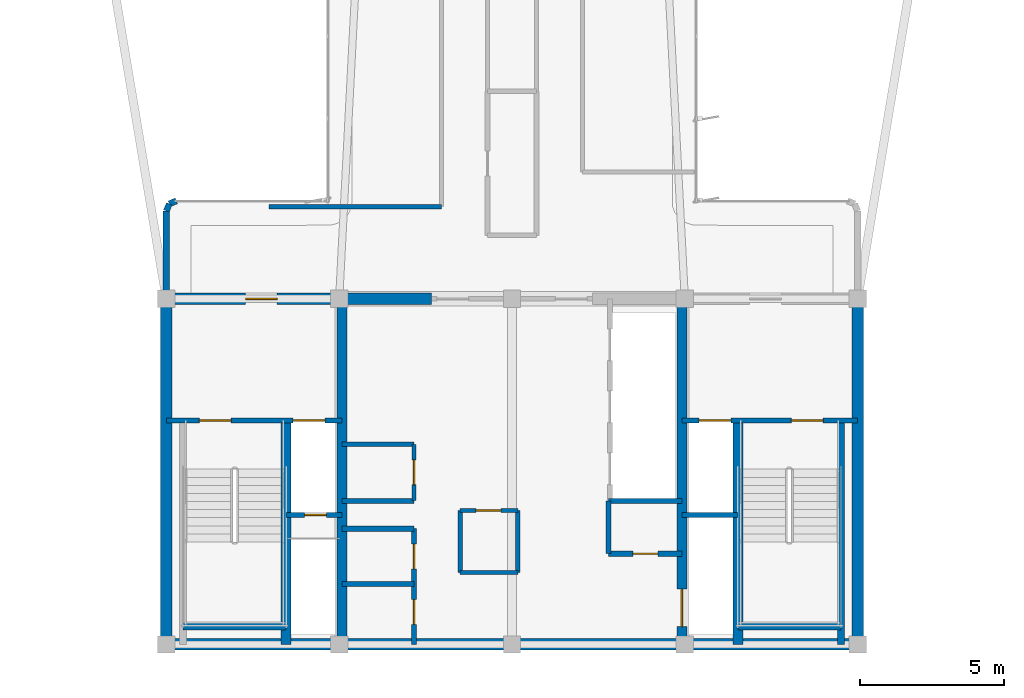
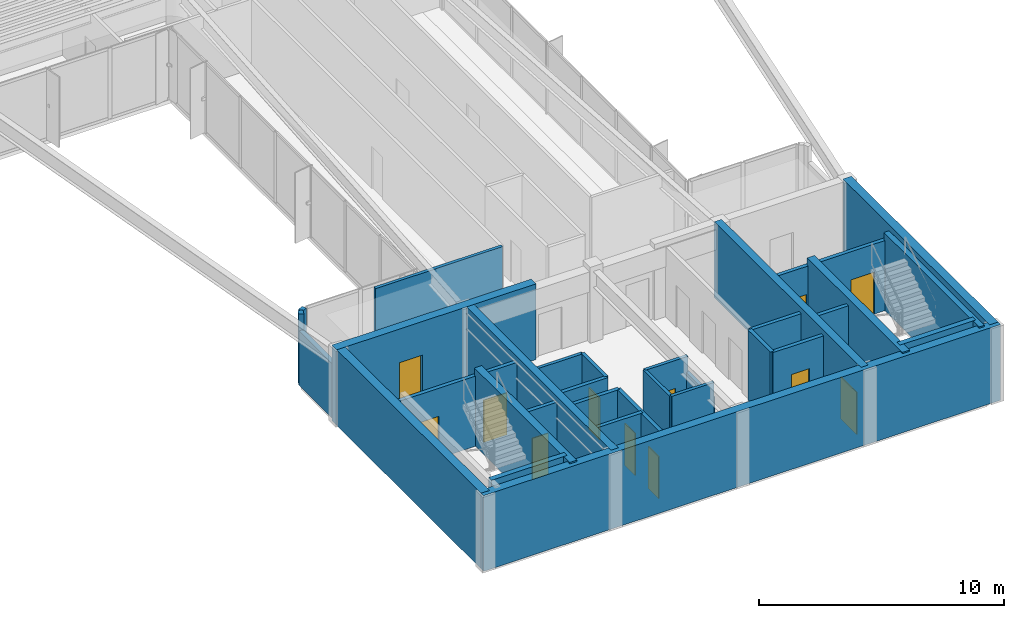
# One storey, part 10 of 15: 32 walls, 12 doors, 12 openings.
"""IFC4 building model written with IfcOpenShell, lengths in metres."""

import ifcopenshell
import ifcopenshell.guid

model = None  # the IFC model being written
_history = None  # IfcOwnerHistory: only IFC2X3 demands one
_inside = {}  # id of a spatial element -> (the spatial element, [elements in it])
_under = {}  # id of a project, library or spatial element -> (it, [spatial elements below it])
_declared = {}  # id of a project -> (the project, [libraries it declares])
_typed = {}  # id of a type object -> (the type object, [elements of that type])
_made_of = {}  # id of a material, layer set ... -> (it, [elements and type objects made of it])


def new_model(schema):
    """Start an empty IFC model of exactly this schema.

    Asked for "IFC4X3", IfcOpenShell would pick the latest addendum, in which some entities
    have other attributes; the version numbers below select the first issue.
    IFC2X3 requires an IfcOwnerHistory on every rooted entity: one is made here for all.
    """
    global model, _history
    if schema == "IFC4X3":
        model = ifcopenshell.file(schema_version=(4, 3, 0, 0))
    else:
        model = ifcopenshell.file(schema=schema)
    _inside.clear()
    _under.clear()
    _declared.clear()
    _typed.clear()
    _made_of.clear()
    _history = None
    if model.schema == "IFC2X3":
        org = make("IfcOrganization", Name="unknown")
        user = make(
            "IfcPersonAndOrganization",
            ThePerson=make("IfcPerson", FamilyName="unknown"),
            TheOrganization=org,
        )
        app = make(
            "IfcApplication",
            ApplicationDeveloper=org,
            Version="unknown",
            ApplicationFullName="unknown",
            ApplicationIdentifier="unknown",
        )
        _history = make(
            "IfcOwnerHistory",
            OwningUser=user,
            OwningApplication=app,
            ChangeAction="ADDED",
            CreationDate=0,
        )
    return model


def make(cls, **values):
    """One entity of the class cls with the attributes given. An attribute that is None is left unset."""
    return model.create_entity(
        cls, **{name: value for name, value in values.items() if value is not None}
    )


def rooted(cls, **values):
    """An entity with a GlobalId (a new one), such as an element, a storey or a relation."""
    return make(cls, GlobalId=ifcopenshell.guid.new(), OwnerHistory=_history, **values)


def si_unit(unit_type, name, prefix=None):
    """IfcSIUnit, for example si_unit("LENGTHUNIT", "METRE", prefix="MILLI")."""
    return make("IfcSIUnit", UnitType=unit_type, Prefix=prefix, Name=name)


def assignment(units):
    """IfcUnitAssignment: the units of a project."""
    return None if units is None else make("IfcUnitAssignment", Units=units)


def point(xyz):
    """IfcCartesianPoint."""
    return None if xyz is None else make("IfcCartesianPoint", Coordinates=xyz)


def direction(xyz):
    """IfcDirection."""
    return None if xyz is None else make("IfcDirection", DirectionRatios=xyz)


def frame(location, z_axis=None, x_axis=None):
    """IfcAxis2Placement3D, a coordinate frame: its origin and axes. An axis left out is left unset."""
    return make(
        "IfcAxis2Placement3D",
        Location=point(location),
        Axis=direction(z_axis),
        RefDirection=direction(x_axis),
    )


def frame_2d(location, x_axis=None):
    """IfcAxis2Placement2D, a coordinate frame in the plane: its origin and x axis."""
    return make(
        "IfcAxis2Placement2D", Location=point(location), RefDirection=direction(x_axis)
    )


def origin():
    """The frame at (0, 0, 0) with its axes left unset."""
    return frame((0.0, 0.0, 0.0))


def origin_2d():
    """The frame at (0, 0) in the plane with its x axis left unset."""
    return frame_2d((0.0, 0.0))


def place(relative_to, where):
    """IfcLocalPlacement: puts the frame where relative to a parent placement (None: the world)."""
    return make(
        "IfcLocalPlacement", PlacementRelTo=relative_to, RelativePlacement=where
    )


def context(
    kind, dimensions, precision=None, world=None, true_north=None, identifier=None
):
    """IfcGeometricRepresentationContext, for example the 3D "Model" context."""
    return make(
        "IfcGeometricRepresentationContext",
        ContextIdentifier=identifier,
        ContextType=kind,
        CoordinateSpaceDimension=dimensions,
        Precision=precision,
        WorldCoordinateSystem=world,
        TrueNorth=true_north,
    )


def subcontext(parent, identifier, kind, view, scale=None):
    """IfcGeometricRepresentationSubContext, for example "Body" below "Model"."""
    return make(
        "IfcGeometricRepresentationSubContext",
        ContextIdentifier=identifier,
        ContextType=kind,
        ParentContext=parent,
        TargetScale=scale,
        TargetView=view,
    )


def project(units=None, contexts=None):
    """IfcProject with its units and contexts."""
    return rooted(
        "IfcProject",
        Name="project",
        RepresentationContexts=contexts,
        UnitsInContext=assignment(units),
    )


def spatial(cls, under=None, at=None, **own):
    """A site, building, storey or space (cls), placed at a placement, below another one or the project."""
    s = rooted(cls, ObjectPlacement=at, **own)
    if under is not None:
        _under.setdefault(under.id(), (under, []))[1].append(s)
    return s


def profile(cls, at=None, kind="AREA", **sizes):
    """A parametric profile (cls). Its sizes go by their IFC names, for example OverallWidth=200.0."""
    return make(cls, ProfileType=kind, Position=at, **sizes)


def rectangle(**sizes):
    """IfcRectangleProfileDef."""
    return profile("IfcRectangleProfileDef", **sizes)


def extrude(swept, where, along, depth):
    """IfcExtrudedAreaSolid: the profile swept, set in the frame where, extruded along a direction by depth."""
    return make(
        "IfcExtrudedAreaSolid",
        SweptArea=swept,
        Position=where,
        ExtrudedDirection=direction(along),
        Depth=depth,
    )


def shape(context_of_items, identifier, shape_type, items):
    """IfcShapeRepresentation: the items that make up one representation, for example the "Body"."""
    return make(
        "IfcShapeRepresentation",
        ContextOfItems=context_of_items,
        RepresentationIdentifier=identifier,
        RepresentationType=shape_type,
        Items=items,
    )


def source(mapping_origin, context_of_items, identifier, shape_type, items):
    """IfcRepresentationMap: a shape defined once, which mapped items show again and again."""
    return make(
        "IfcRepresentationMap",
        MappingOrigin=mapping_origin,
        MappedRepresentation=shape(context_of_items, identifier, shape_type, items),
    )


def transform(
    local_origin,
    x_axis=None,
    y_axis=None,
    z_axis=None,
    scale=None,
    scale2=None,
    scale3=None,
    uniform=True,
):
    """IfcCartesianTransformationOperator3D, or its non-uniform kind. x_axis, y_axis, z_axis: its Axis1, 2, 3."""
    if uniform:
        return make(
            "IfcCartesianTransformationOperator3D",
            Axis1=direction(x_axis),
            Axis2=direction(y_axis),
            LocalOrigin=point(local_origin),
            Scale=scale,
            Axis3=direction(z_axis),
        )
    return make(
        "IfcCartesianTransformationOperator3DnonUniform",
        Axis1=direction(x_axis),
        Axis2=direction(y_axis),
        LocalOrigin=point(local_origin),
        Scale=scale,
        Axis3=direction(z_axis),
        Scale2=scale2,
        Scale3=scale3,
    )


def mapped(mapping_source, mapping_target):
    """IfcMappedItem: shows the shape of a source again, moved by a transform."""
    return make(
        "IfcMappedItem", MappingSource=mapping_source, MappingTarget=mapping_target
    )


def material(Name=None, Category=None):
    """IfcMaterial."""
    return make("IfcMaterial", Name=Name, Category=Category)


def layer(
    of_material, thickness, ventilated=None, Name=None, Category=None, Priority=None
):
    """IfcMaterialLayer: one layer of a wall or slab, of a material (None: an air gap)."""
    return make(
        "IfcMaterialLayer",
        Material=of_material,
        LayerThickness=thickness,
        IsVentilated=ventilated,
        Name=Name,
        Category=Category,
        Priority=Priority,
    )


def layer_set(layers, Name=None):
    """IfcMaterialLayerSet."""
    return make("IfcMaterialLayerSet", MaterialLayers=layers, LayerSetName=Name)


def made_of(thing, what):
    """Note that an element or type object is made of a material, layer set ...; save() writes the relation."""
    if what is not None:
        _made_of.setdefault(what.id(), (what, []))[1].append(thing)
    return thing


def type_object(cls, material=None, **own):
    """A type object (cls), such as IfcWallType, which elements share."""
    return made_of(rooted(cls, **own), material)


def element(
    cls,
    number,
    at=None,
    inside=None,
    cuts=None,
    type_object=None,
    material=None,
    context=None,
    identifier="Body",
    shape_type=None,
    held_by="IfcProductDefinitionShape",
    body=None,
    shapes=None,
    **own,
):
    """One element of the class cls, such as IfcWall. Its Tag is "e" and its number.

    at: its placement. inside: the storey or other place that contains it. cuts: it is an
    opening in that element (IfcRelVoidsElement). A single representation is given by context,
    identifier, shape_type and body (its items); several are given by shapes. held_by: the class
    of the entity that holds the representations. save() writes the other relations.
    """
    e = rooted(cls, Tag="e%d" % number, ObjectPlacement=at, **own)
    if body is not None:
        shapes = [shape(context, identifier, shape_type, body)]
    if shapes is not None:
        e.Representation = make(held_by, Representations=shapes)
    if inside is not None:
        _inside.setdefault(inside.id(), (inside, []))[1].append(e)
    if cuts is not None:
        rooted(
            "IfcRelVoidsElement", RelatingBuildingElement=cuts, RelatedOpeningElement=e
        )
    if type_object is not None:
        _typed.setdefault(type_object.id(), (type_object, []))[1].append(e)
    return made_of(e, material)


def fill(opening, filler):
    """IfcRelFillsElement: the door or window that sits in an opening."""
    return rooted(
        "IfcRelFillsElement",
        RelatingOpeningElement=opening,
        RelatedBuildingElement=filler,
    )


def aggregate(whole, parts):
    """IfcRelAggregates: a whole, such as a stair, and the parts it consists of."""
    return rooted("IfcRelAggregates", RelatingObject=whole, RelatedObjects=parts)


def save(model, path):
    """Write the relations noted so far, then the file.

    IfcRelAggregates (storeys below a building ...), IfcRelContainedInSpatialStructure (elements
    in a storey), IfcRelDefinesByType, IfcRelAssociatesMaterial and IfcRelDeclares: one each for
    every whole, place, type object, material and project.
    """
    for whole, parts in _under.values():
        aggregate(whole, parts)
    for where, things in _inside.values():
        rooted(
            "IfcRelContainedInSpatialStructure",
            RelatedElements=things,
            RelatingStructure=where,
        )
    for kind, things in _typed.values():
        rooted("IfcRelDefinesByType", RelatedObjects=things, RelatingType=kind)
    for what, things in _made_of.values():
        rooted("IfcRelAssociatesMaterial", RelatedObjects=things, RelatingMaterial=what)
    for by, libraries in _declared.values():
        rooted("IfcRelDeclares", RelatingContext=by, RelatedDefinitions=libraries)
    model.write(path)


model = new_model("IFC4")

# Units and contexts
model_context = context("Model", 3, precision=1e-05, world=origin(), true_north=direction((0.0, 1.0)))
body_context = subcontext(model_context, "Body", "Model", "MODEL_VIEW")
ifc_project = project(units=[si_unit("LENGTHUNIT", "METRE"), si_unit("AREAUNIT", "SQUARE_METRE"), si_unit("VOLUMEUNIT", "CUBIC_METRE"), si_unit("PLANEANGLEUNIT", "RADIAN"), si_unit("MASSUNIT", "GRAM", prefix="KILO")], contexts=[model_context])

# Site, building, storey
site_placement = place(None, origin())
site = spatial("IfcSite", under=ifc_project, at=site_placement, CompositionType="ELEMENT")
building_placement = place(site_placement, origin())
building = spatial("IfcBuilding", under=site, at=building_placement, Name="Brelvock Crest Care Tower", CompositionType="ELEMENT")
storey_placement = place(building_placement, frame((0.0, 0.0, 264.60009765625)))
storey = spatial("IfcBuildingStorey", under=building, at=storey_placement, Name="L67", CompositionType="ELEMENT", Elevation=264.60009765625)

# Walls
ifc_material_1 = material(Name="Concrete S65 (65 MPa)", Category="concrete")
ifc_layer_1 = layer(ifc_material_1, 0.39990234375, Name="WL-CS4")
ifc_layer_set_1 = layer_set([ifc_layer_1], Name="Concrete S65 (65 MPa)")
wall_type_1 = type_object("IfcWallType", Name="WL-CS4", PredefinedType="SHEAR", material=ifc_layer_set_1)
wall_1_placement = place(storey_placement, frame((48.199951171875, 6.0, 0.0), z_axis=(0.0, 0.0, 1.0), x_axis=(-1.0, 0.0, 0.0)))
element("IfcWall", 1, at=wall_1_placement, inside=storey, type_object=wall_type_1, Name="L67 Core South Shear Wall", PredefinedType="SHEAR", context=body_context, shape_type="SweptSolid", body=[
    extrude(rectangle(XDim=24.39990234375, YDim=0.39990234375, at=frame_2d((12.199951171875, 0.0))), origin(), (0.0, 0.0, 1.0), 3.77978515625),
])
for number, where, z_axis, x_axis, name in (
    (2, (24.0, 6.0, 0.0), (0.0, 0.0, 1.0), (0.0, 1.0, 0.0), "L67 Core West Shear Wall"),
    (3, (48.0, 18.0, 0.0), (0.0, 0.0, 1.0), (0.0, -1.0, 0.0), "L67 Core East Shear Wall"),
):
    element("IfcWall", number, at=place(storey_placement, frame(where, z_axis=z_axis, x_axis=x_axis)), inside=storey, type_object=wall_type_1, Name=name, PredefinedType="SHEAR", context=body_context, shape_type="SweptSolid", body=[
        extrude(rectangle(XDim=12.0, YDim=0.39990234375, at=frame_2d((6.0, 0.0))), origin(), (0.0, 0.0, 1.0), 3.77978515625),
    ])

# Wall, opening, door
wall_2_placement = place(storey_placement, frame((23.800048828125, 18.0, 0.0), z_axis=(0.0, 0.0, 1.0), x_axis=(1.0, 0.0, 0.0)))
wall_2 = element("IfcWall", 4, at=wall_2_placement, inside=storey, type_object=wall_type_1, Name="L67 Core North-West Shear Wall", PredefinedType="SHEAR", context=body_context, shape_type="SweptSolid", body=[
    extrude(rectangle(XDim=9.39990234375, YDim=0.39990234375, at=frame_2d((4.699951171875, 0.0))), origin(), (0.0, 0.0, 1.0), 3.77978515625),
])
opening_1_placement = place(wall_2_placement, frame((2.949951171875, 0.0, 0.0)))
opening_1 = element("IfcOpeningElement", 5, at=opening_1_placement, cuts=wall_2, Name="Opening FD-1", PredefinedType="OPENING", context=body_context, shape_type="SweptSolid", body=[
    extrude(rectangle(XDim=1.10009765625, YDim=2.10009765625, at=origin_2d()), frame((0.550048828125, 0.2099609375, 1.050048828125), z_axis=(0.0, -1.0, 0.0), x_axis=(1.0, 0.0, 0.0)), (0.0, 0.0, 1.0), 0.419921875),
])
ifc_material_2 = material(Name="Steel Grade 350", Category="steel")
door_type_1 = type_object("IfcDoorType", Name="DR-FFL1", OperationType="NOTDEFINED", PredefinedType="DOOR", material=ifc_material_2)
shared_shape_1 = source(origin(), body_context, "Body", "SweptSolid", [
    extrude(rectangle(XDim=1.10009765625, YDim=2.10009765625, at=origin_2d()), frame((0.550048828125, 0.02490234375, 1.050048828125), z_axis=(0.0, -1.0, 0.0), x_axis=(1.0, 0.0, 0.0)), (0.0, 0.0, 1.0), 0.050048828125),
])
door_1_placement = place(opening_1_placement, origin())
door_1 = element("IfcDoor", 6, at=door_1_placement, inside=storey, type_object=door_type_1, Name="L67 Firefighting Lobby FFL-1 Exit Door", OperationType="SINGLE_SWING_LEFT", OverallHeight=2.10009765625, OverallWidth=1.10009765625, PredefinedType="DOOR", context=body_context, shape_type="MappedRepresentation", body=[
    mapped(shared_shape_1, transform((0.0, 0.0, 0.0), x_axis=(1.0, 0.0, 0.0), y_axis=(0.0, 1.0, 0.0), z_axis=(0.0, 0.0, 1.0), scale=1.0)),
])
fill(opening_1, door_1)

# Wall
ifc_material_3 = material(Name="Concrete S80 (80 MPa)", Category="concrete")
ifc_layer_2 = layer(ifc_material_3, 0.35009765625, Name="WL-CS5")
ifc_layer_set_2 = layer_set([ifc_layer_2], Name="Concrete S80 (80 MPa)")
wall_type_2 = type_object("IfcWallType", Name="WL-CS5", PredefinedType="SHEAR", material=ifc_layer_set_2)
wall_3_placement = place(storey_placement, frame((30.10009765625, 6.0, 0.0), z_axis=(0.0, 0.0, 1.0), x_axis=(0.0, 1.0, 0.0)))
element("IfcWall", 7, at=wall_3_placement, inside=storey, type_object=wall_type_2, Name="L67 Core Internal Web Wall West", PredefinedType="SHEAR", context=body_context, shape_type="SweptSolid", body=[
    extrude(rectangle(XDim=12.0, YDim=0.35009765625, at=frame_2d((6.0, 0.0))), origin(), (0.0, 0.0, 1.0), 3.77978515625),
])

# Wall, opening, door
wall_4_placement = place(storey_placement, frame((41.89990234375, 18.0, 0.0), z_axis=(0.0, 0.0, 1.0), x_axis=(0.0, -1.0, 0.0)))
wall_4 = element("IfcWall", 8, at=wall_4_placement, inside=storey, type_object=wall_type_2, Name="L67 Core Internal Web Wall East", PredefinedType="SHEAR", context=body_context, shape_type="SweptSolid", body=[
    extrude(rectangle(XDim=12.0, YDim=0.35009765625, at=frame_2d((6.0, 0.0))), origin(), (0.0, 0.0, 1.0), 3.77978515625),
])
opening_2_placement = place(wall_4_placement, frame((10.080078125, 0.0, 0.0)))
opening_2 = element("IfcOpeningElement", 9, at=opening_2_placement, cuts=wall_4, Name="Opening LD-S", PredefinedType="OPENING", context=body_context, shape_type="SweptSolid", body=[
    extrude(rectangle(XDim=1.300048828125, YDim=2.10009765625, at=origin_2d()), frame((0.64990234375, 0.18505859375, 1.050048828125), z_axis=(0.0, -1.0, 0.0), x_axis=(1.0, 0.0, 0.0)), (0.0, 0.0, 1.0), 0.3701171875),
])
door_type_2 = type_object("IfcDoorType", Name="DR-LDS1", OperationType="NOTDEFINED", PredefinedType="DOOR", material=ifc_material_2)
shared_shape_2 = source(origin(), body_context, "Body", "SweptSolid", [
    extrude(rectangle(XDim=1.300048828125, YDim=2.10009765625, at=origin_2d()), frame((0.64990234375, 0.02490234375, 1.050048828125), z_axis=(0.0, -1.0, 0.0), x_axis=(1.0, 0.0, 0.0)), (0.0, 0.0, 1.0), 0.050048828125),
])
door_2_placement = place(opening_2_placement, origin())
door_2 = element("IfcDoor", 10, at=door_2_placement, inside=storey, type_object=door_type_2, Name="L67 Clinical Bed Lift SL-1 Landing Door", OperationType="SLIDING_TO_LEFT", OverallHeight=2.10009765625, OverallWidth=1.300048828125, PredefinedType="DOOR", context=body_context, shape_type="MappedRepresentation", body=[
    mapped(shared_shape_2, transform((0.0, 0.0, 0.0), x_axis=(1.0, 0.0, 0.0), y_axis=(0.0, 1.0, 0.0), z_axis=(0.0, 0.0, 1.0), scale=1.0)),
])
fill(opening_2, door_2)

# Walls
for number, where, z_axis, x_axis, name in (
    (11, (28.14990234375, 6.0, 0.0), (0.0, 0.0, 1.0), (0.0, 1.0, 0.0), "L67 Core Stair ST-1 East Shear Wall"),
    (12, (43.85009765625, 6.0, 0.0), (0.0, 0.0, 1.0), (0.0, 1.0, 0.0), "L67 Core Stair ST-2 West Shear Wall"),
):
    element("IfcWall", number, at=place(storey_placement, frame(where, z_axis=z_axis, x_axis=x_axis)), inside=storey, type_object=wall_type_2, Name=name, PredefinedType="SHEAR", context=body_context, shape_type="SweptSolid", body=[
        extrude(rectangle(XDim=7.780029296875, YDim=0.35009765625, at=frame_2d((3.89013671875, 0.0))), origin(), (0.0, 0.0, 1.0), 3.849853515625),
    ])
ifc_layer_3 = layer(ifc_material_3, 0.25, Name="WL-CS6")
ifc_layer_set_3 = layer_set([ifc_layer_3], Name="Concrete S80 (80 MPa)")
wall_type_3 = type_object("IfcWallType", Name="WL-CS6", PredefinedType="SHEAR", material=ifc_layer_set_3)
wall_5_placement = place(storey_placement, frame((24.580078125, 6.6201171875, 0.0), z_axis=(0.0, 0.0, 1.0), x_axis=(1.0, 0.0, 0.0)))
element("IfcWall", 13, at=wall_5_placement, inside=storey, type_object=wall_type_3, Name="L67 Core Stair ST-1 South Shear Wall", PredefinedType="SHEAR", context=body_context, shape_type="SweptSolid", body=[
    extrude(rectangle(XDim=3.56982421875, YDim=0.25, at=frame_2d((1.784912109375, 0.0))), origin(), (0.0, 0.0, 1.0), 3.849853515625),
])
wall_6_placement = place(storey_placement, frame((47.419921875, 6.0, 0.0), z_axis=(0.0, 0.0, 1.0), x_axis=(0.0, 1.0, 0.0)))
element("IfcWall", 14, at=wall_6_placement, inside=storey, type_object=wall_type_3, Name="L67 Core Stair ST-2 East Shear Wall", PredefinedType="SHEAR", context=body_context, shape_type="SweptSolid", body=[
    extrude(rectangle(XDim=7.780029296875, YDim=0.25, at=frame_2d((3.89013671875, 0.0))), origin(), (0.0, 0.0, 1.0), 3.849853515625),
])
wall_7_placement = place(storey_placement, frame((43.85009765625, 6.6201171875, 0.0), z_axis=(0.0, 0.0, 1.0), x_axis=(1.0, 0.0, 0.0)))
element("IfcWall", 15, at=wall_7_placement, inside=storey, type_object=wall_type_3, Name="L67 Core Stair ST-2 South Shear Wall", PredefinedType="SHEAR", context=body_context, shape_type="SweptSolid", body=[
    extrude(rectangle(XDim=3.56982421875, YDim=0.25, at=frame_2d((1.784912109375, 0.0))), origin(), (0.0, 0.0, 1.0), 3.849853515625),
])
ifc_material_4 = material(Name="Precast concrete N40 (40 MPa)", Category="concrete")
ifc_layer_4 = layer(ifc_material_4, 0.215087890625, Name="WL-EX2")
ifc_layer_set_4 = layer_set([ifc_layer_4], Name="Precast concrete N40 (40 MPa)")
wall_type_4 = type_object("IfcWallType", Name="WL-EX2", PredefinedType="SOLIDWALL", material=ifc_layer_set_4)
wall_8_placement = place(storey_placement, frame((24.0, 18.280029296875, 0.0), z_axis=(0.0, 0.0, 1.0), x_axis=(0.0, 1.0, 0.0)))
element("IfcWall", 16, at=wall_8_placement, inside=storey, type_object=wall_type_4, Name="L67 Rounded Corner Wall 07", PredefinedType="SOLIDWALL", context=body_context, shape_type="SweptSolid", body=[
    extrude(rectangle(XDim=2.77001953125, YDim=0.215087890625, at=frame_2d((1.385009765625, 0.0))), origin(), (0.0, 0.0, 1.0), 2.718017578125),
])
wall_9_placement = place(storey_placement, frame((24.0, 21.050048828125, 0.0), z_axis=(0.0, 0.0, 1.0), x_axis=(0.382673670509, 0.923883575944, 0.0)))
element("IfcWall", 17, at=wall_9_placement, inside=storey, type_object=wall_type_4, Name="L67 Rounded Corner Wall 08", PredefinedType="SOLIDWALL", context=body_context, shape_type="SweptSolid", body=[
    extrude(rectangle(XDim=0.26806640625, YDim=0.215087890625, at=frame_2d((0.134033203125, 0.0))), origin(), (0.0, 0.0, 1.0), 3.52978515625),
])
wall_10_placement = place(storey_placement, frame((24.1025390625, 21.297607421875, 0.0), z_axis=(0.0, 0.0, 1.0), x_axis=(0.924205486139, 0.381895560841, 0.0)))
element("IfcWall", 18, at=wall_10_placement, inside=storey, type_object=wall_type_4, Name="L67 Rounded Corner Wall 09", PredefinedType="SOLIDWALL", context=body_context, shape_type="SweptSolid", body=[
    extrude(rectangle(XDim=0.267822265625, YDim=0.215087890625, at=frame_2d((0.1337890625, 0.0))), origin(), (0.0, 0.0, 1.0), 3.52978515625),
])
ifc_material_5 = material(Name="Masonry Blockwork Acoustic Partition", Category="masonry")
ifc_layer_5 = layer(ifc_material_5, 0.14990234375, Name="WL-INT1")
ifc_layer_set_5 = layer_set([ifc_layer_5], Name="Masonry Blockwork Acoustic Partition")
wall_type_5 = type_object("IfcWallType", Name="WL-INT1", PredefinedType="PARTITIONING", material=ifc_layer_set_5)
wall_11_placement = place(storey_placement, frame((30.10009765625, 12.949951171875, 0.0), z_axis=(0.0, 0.0, 1.0), x_axis=(1.0, 0.0, 0.0)))
element("IfcWall", 19, at=wall_11_placement, inside=storey, type_object=wall_type_5, Name="L67 Interior Wall WL-CRCL-N2-L67", PredefinedType="PARTITIONING", context=body_context, shape_type="SweptSolid", body=[
    extrude(rectangle(XDim=2.5, YDim=0.14990234375, at=frame_2d((1.25, 0.0))), origin(), (0.0, 0.0, 1.0), 3.5),
])

# Wall, opening, door
wall_12_placement = place(storey_placement, frame((32.60009765625, 11.0, 0.0), z_axis=(0.0, 0.0, 1.0), x_axis=(0.0, 1.0, 0.0)))
wall_12 = element("IfcWall", 20, at=wall_12_placement, inside=storey, type_object=wall_type_5, Name="L67 Interior Wall WL-CRCL-E-L67", PredefinedType="PARTITIONING", context=body_context, shape_type="SweptSolid", body=[
    extrude(rectangle(XDim=1.949951171875, YDim=0.14990234375, at=frame_2d((0.97509765625, 0.0))), origin(), (0.0, 0.0, 1.0), 3.5),
])
opening_3_placement = place(wall_12_placement, frame((0.550048828125, 0.0, 0.0)))
opening_3 = element("IfcOpeningElement", 21, at=opening_3_placement, cuts=wall_12, Name="Opening ID-1", PredefinedType="OPENING", context=body_context, shape_type="SweptSolid", body=[
    extrude(rectangle(XDim=0.860107421875, YDim=2.10009765625, at=origin_2d()), frame((0.43017578125, 0.0849609375, 1.050048828125), z_axis=(0.0, -1.0, 0.0), x_axis=(1.0, 0.0, 0.0)), (0.0, 0.0, 1.0), 0.169921875),
])
ifc_material_6 = material(Name="Engineered Hardwood Timber", Category="wood")
door_type_3 = type_object("IfcDoorType", Name="DR-INT1", OperationType="NOTDEFINED", PredefinedType="DOOR", material=ifc_material_6)
shared_shape_3 = source(origin(), body_context, "Body", "SweptSolid", [
    extrude(rectangle(XDim=0.860107421875, YDim=2.10009765625, at=origin_2d()), frame((0.43017578125, 0.02490234375, 1.050048828125), z_axis=(0.0, -1.0, 0.0), x_axis=(1.0, 0.0, 0.0)), (0.0, 0.0, 1.0), 0.050048828125),
])
door_3_placement = place(opening_3_placement, origin())
door_3 = element("IfcDoor", 22, at=door_3_placement, inside=storey, type_object=door_type_3, Name="DR-CRCL1-L67", OperationType="SINGLE_SWING_LEFT", OverallHeight=2.10009765625, OverallWidth=0.860107421875, PredefinedType="DOOR", context=body_context, shape_type="MappedRepresentation", body=[
    mapped(shared_shape_3, transform((0.0, 0.0, 0.0), x_axis=(1.0, 0.0, 0.0), y_axis=(0.0, 1.0, 0.0), z_axis=(0.0, 0.0, 1.0), scale=1.0)),
])
fill(opening_3, door_3)

# Walls
wall_13_placement = place(storey_placement, frame((34.199951171875, 8.5, 0.0), z_axis=(0.0, 0.0, 1.0), x_axis=(1.0, 0.0, 0.0)))
element("IfcWall", 23, at=wall_13_placement, inside=storey, type_object=wall_type_5, Name="L67 Interior Wall WL-CRCM-S-L67", PredefinedType="PARTITIONING", context=body_context, shape_type="SweptSolid", body=[
    extrude(rectangle(XDim=2.0, YDim=0.14990234375, at=frame_2d((1.0, 0.0))), origin(), (0.0, 0.0, 1.0), 3.5),
])
wall_14_placement = place(storey_placement, frame((34.199951171875, 8.5, 0.0), z_axis=(0.0, 0.0, 1.0), x_axis=(0.0, 1.0, 0.0)))
element("IfcWall", 24, at=wall_14_placement, inside=storey, type_object=wall_type_5, Name="L67 Interior Wall WL-CRCM-W-L67", PredefinedType="PARTITIONING", context=body_context, shape_type="SweptSolid", body=[
    extrude(rectangle(XDim=2.14990234375, YDim=0.14990234375, at=frame_2d((1.074951171875, 0.0))), origin(), (0.0, 0.0, 1.0), 3.5),
])
wall_15_placement = place(storey_placement, frame((36.199951171875, 8.5, 0.0), z_axis=(0.0, 0.0, 1.0), x_axis=(0.0, 1.0, 0.0)))
element("IfcWall", 25, at=wall_15_placement, inside=storey, type_object=wall_type_5, Name="L67 Interior Wall WL-CRCM-E-L67", PredefinedType="PARTITIONING", context=body_context, shape_type="SweptSolid", body=[
    extrude(rectangle(XDim=2.14990234375, YDim=0.14990234375, at=frame_2d((1.074951171875, 0.0))), origin(), (0.0, 0.0, 1.0), 2.71484375),
])

# Wall, opening, door
wall_16_placement = place(storey_placement, frame((34.199951171875, 10.64990234375, 0.0), z_axis=(0.0, 0.0, 1.0), x_axis=(1.0, 0.0, 0.0)))
wall_16 = element("IfcWall", 26, at=wall_16_placement, inside=storey, type_object=wall_type_5, Name="L67 Interior Wall WL-CRCM-N-L67", PredefinedType="PARTITIONING", context=body_context, shape_type="SweptSolid", body=[
    extrude(rectangle(XDim=2.0, YDim=0.14990234375, at=frame_2d((1.0, 0.0))), origin(), (0.0, 0.0, 1.0), 3.5),
])
opening_4_placement = place(wall_16_placement, frame((0.550048828125, 0.0, 0.0)))
opening_4 = element("IfcOpeningElement", 27, at=opening_4_placement, cuts=wall_16, Name="Opening ID-1", PredefinedType="OPENING", context=body_context, shape_type="SweptSolid", body=[
    extrude(rectangle(XDim=0.860107421875, YDim=2.10009765625, at=origin_2d()), frame((0.43017578125, 0.0849609375, 1.050048828125), z_axis=(0.0, -1.0, 0.0), x_axis=(1.0, 0.0, 0.0)), (0.0, 0.0, 1.0), 0.169921875),
])
door_4_placement = place(opening_4_placement, origin())
door_4 = element("IfcDoor", 28, at=door_4_placement, inside=storey, type_object=door_type_3, Name="DR-CRCM1-L67", OperationType="SINGLE_SWING_LEFT", OverallHeight=2.10009765625, OverallWidth=0.860107421875, PredefinedType="DOOR", context=body_context, shape_type="MappedRepresentation", body=[
    mapped(shared_shape_3, transform((0.0, 0.0, 0.0), x_axis=(1.0, 0.0, 0.0), y_axis=(0.0, 1.0, 0.0), z_axis=(0.0, 0.0, 1.0), scale=1.0)),
])
fill(opening_4, door_4)

# Walls
wall_17_placement = place(storey_placement, frame((27.5576171875, 21.199951171875, 0.0), z_axis=(0.0, 0.0, 1.0), x_axis=(1.0, 0.0, 0.0)))
element("IfcWall", 29, at=wall_17_placement, inside=storey, type_object=wall_type_5, Name="L67 Interior Wall WL-BX-L67-THRW-S", PredefinedType="PARTITIONING", context=body_context, shape_type="SweptSolid", body=[
    extrude(rectangle(XDim=5.992431640625, YDim=0.14990234375, at=frame_2d((2.99609375, 0.0))), origin(), (0.0, 0.0, 1.0), 3.5),
])
ifc_layer_6 = layer(ifc_material_5, 0.179931640625, Name="WL-SHF1")
ifc_layer_set_6 = layer_set([ifc_layer_6], Name="Masonry Blockwork Acoustic Partition")
wall_type_6 = type_object("IfcWallType", Name="WL-SHF1", PredefinedType="PARTITIONING", material=ifc_layer_set_6)
wall_18_placement = place(storey_placement, frame((30.10009765625, 10.97998046875, 0.0), z_axis=(0.0, 0.0, 1.0), x_axis=(1.0, 0.0, 0.0)))
element("IfcWall", 30, at=wall_18_placement, inside=storey, type_object=wall_type_6, Name="L67 Interior Wall WL-CSBW-N-L67", PredefinedType="PARTITIONING", context=body_context, shape_type="SweptSolid", body=[
    extrude(rectangle(XDim=2.5, YDim=0.179931640625, at=frame_2d((1.25, 0.0))), origin(), (0.0, 0.0, 1.0), 3.5),
])
wall_19_placement = place(storey_placement, frame((39.35009765625, 10.97998046875, 0.0), z_axis=(0.0, 0.0, 1.0), x_axis=(1.0, 0.0, 0.0)))
element("IfcWall", 31, at=wall_19_placement, inside=storey, type_object=wall_type_6, Name="L67 Interior Wall WL-CSBE-N-L67", PredefinedType="PARTITIONING", context=body_context, shape_type="SweptSolid", body=[
    extrude(rectangle(XDim=2.5498046875, YDim=0.179931640625, at=frame_2d((1.27490234375, 0.0))), origin(), (0.0, 0.0, 1.0), 3.5),
])
for number, where, z_axis, x_axis, name in (
    (32, (30.10009765625, 8.10009765625, 0.0), (0.0, 0.0, 1.0), (1.0, 0.0, 0.0), "L67 Interior Wall WL-CSBW-SP-L67"),
    (33, (30.10009765625, 10.02001953125, 0.0), (0.0, 0.0, 1.0), (1.0, 0.0, 0.0), "L67 Interior Wall WL-CSBW-N2-L67"),
):
    element("IfcWall", number, at=place(storey_placement, frame(where, z_axis=z_axis, x_axis=x_axis)), inside=storey, type_object=wall_type_6, Name=name, PredefinedType="PARTITIONING", context=body_context, shape_type="SweptSolid", body=[
        extrude(rectangle(XDim=2.5, YDim=0.179931640625, at=frame_2d((1.25, 0.0))), origin(), (0.0, 0.0, 1.0), 3.5),
    ])

# Wall, openings, doors
wall_20_placement = place(storey_placement, frame((32.60009765625, 6.0, 0.0), z_axis=(0.0, 0.0, 1.0), x_axis=(0.0, 1.0, 0.0)))
wall_20 = element("IfcWall", 34, at=wall_20_placement, inside=storey, type_object=wall_type_6, Name="L67 Interior Wall WL-CSBW-E-L67", PredefinedType="PARTITIONING", context=body_context, shape_type="SweptSolid", body=[
    extrude(rectangle(XDim=4.02001953125, YDim=0.179931640625, at=frame_2d((2.010009765625, 0.0))), origin(), (0.0, 0.0, 1.0), 3.5),
])
opening_5_placement = place(wall_20_placement, frame((0.699951171875, 0.0, 0.0)))
opening_5 = element("IfcOpeningElement", 35, at=opening_5_placement, cuts=wall_20, Name="Opening ID-1", PredefinedType="OPENING", context=body_context, shape_type="SweptSolid", body=[
    extrude(rectangle(XDim=0.860107421875, YDim=2.10009765625, at=origin_2d()), frame((0.43017578125, 0.10009765625, 1.050048828125), z_axis=(0.0, -1.0, 0.0), x_axis=(1.0, 0.0, 0.0)), (0.0, 0.0, 1.0), 0.199951171875),
])
opening_6_placement = place(wall_20_placement, frame((2.6201171875, 0.0, 0.0)))
opening_6 = element("IfcOpeningElement", 36, at=opening_6_placement, cuts=wall_20, Name="Opening ID-1", PredefinedType="OPENING", context=body_context, shape_type="SweptSolid", body=[
    extrude(rectangle(XDim=0.860107421875, YDim=2.10009765625, at=origin_2d()), frame((0.43017578125, 0.10009765625, 1.050048828125), z_axis=(0.0, -1.0, 0.0), x_axis=(1.0, 0.0, 0.0)), (0.0, 0.0, 1.0), 0.199951171875),
])
door_5_placement = place(opening_5_placement, origin())
door_5 = element("IfcDoor", 37, at=door_5_placement, inside=storey, type_object=door_type_3, Name="DR-CSBW1-L67", OperationType="SINGLE_SWING_LEFT", OverallHeight=2.10009765625, OverallWidth=0.860107421875, PredefinedType="DOOR", context=body_context, shape_type="MappedRepresentation", body=[
    mapped(shared_shape_3, transform((0.0, 0.0, 0.0), x_axis=(1.0, 0.0, 0.0), y_axis=(0.0, 1.0, 0.0), z_axis=(0.0, 0.0, 1.0), scale=1.0)),
])
fill(opening_5, door_5)
door_6_placement = place(opening_6_placement, origin())
door_6 = element("IfcDoor", 38, at=door_6_placement, inside=storey, type_object=door_type_3, Name="DR-CSBW2-L67", OperationType="SINGLE_SWING_RIGHT", OverallHeight=2.10009765625, OverallWidth=0.860107421875, PredefinedType="DOOR", context=body_context, shape_type="MappedRepresentation", body=[
    mapped(shared_shape_3, transform((0.0, 0.0, 0.0), x_axis=(1.0, 0.0, 0.0), y_axis=(0.0, 1.0, 0.0), z_axis=(0.0, 0.0, 1.0), scale=1.0)),
])
fill(opening_6, door_6)

# Wall
wall_21_placement = place(storey_placement, frame((39.35009765625, 9.14990234375, 0.0), z_axis=(0.0, 0.0, 1.0), x_axis=(0.0, 1.0, 0.0)))
element("IfcWall", 39, at=wall_21_placement, inside=storey, type_object=wall_type_6, Name="L67 Interior Wall WL-CSBE-W-L67", PredefinedType="PARTITIONING", context=body_context, shape_type="SweptSolid", body=[
    extrude(rectangle(XDim=1.830078125, YDim=0.179931640625, at=frame_2d((0.9150390625, 0.0))), origin(), (0.0, 0.0, 1.0), 3.5),
])

# Wall, opening, door
wall_22_placement = place(storey_placement, frame((39.35009765625, 9.14990234375, 0.0), z_axis=(0.0, 0.0, 1.0), x_axis=(1.0, 0.0, 0.0)))
wall_22 = element("IfcWall", 40, at=wall_22_placement, inside=storey, type_object=wall_type_6, Name="L67 Interior Wall WL-CSBE-S-L67", PredefinedType="PARTITIONING", context=body_context, shape_type="SweptSolid", body=[
    extrude(rectangle(XDim=2.5498046875, YDim=0.179931640625, at=frame_2d((1.27490234375, 0.0))), origin(), (0.0, 0.0, 1.0), 3.5),
])
opening_7_placement = place(wall_22_placement, frame((0.85009765625, 0.0, 0.0)))
opening_7 = element("IfcOpeningElement", 41, at=opening_7_placement, cuts=wall_22, Name="Opening ID-1", PredefinedType="OPENING", context=body_context, shape_type="SweptSolid", body=[
    extrude(rectangle(XDim=0.860107421875, YDim=2.10009765625, at=origin_2d()), frame((0.43017578125, 0.10009765625, 1.050048828125), z_axis=(0.0, -1.0, 0.0), x_axis=(1.0, 0.0, 0.0)), (0.0, 0.0, 1.0), 0.199951171875),
])
door_7_placement = place(opening_7_placement, origin())
door_7 = element("IfcDoor", 42, at=door_7_placement, inside=storey, type_object=door_type_3, Name="DR-CSBE-L67", OperationType="SINGLE_SWING_LEFT", OverallHeight=2.10009765625, OverallWidth=0.860107421875, PredefinedType="DOOR", context=body_context, shape_type="MappedRepresentation", body=[
    mapped(shared_shape_3, transform((0.0, 0.0, 0.0), x_axis=(1.0, 0.0, 0.0), y_axis=(0.0, 1.0, 0.0), z_axis=(0.0, 0.0, 1.0), scale=1.0)),
])
fill(opening_7, door_7)

# Wall, openings, doors
wall_23_placement = place(storey_placement, frame((24.0, 13.780029296875, 0.0), z_axis=(0.0, 0.0, 1.0), x_axis=(1.0, 0.0, 0.0)))
wall_23 = element("IfcWall", 43, at=wall_23_placement, inside=storey, type_object=wall_type_6, Name="L67 Interior Wall WL-ST1-N-L67", PredefinedType="PARTITIONING", context=body_context, shape_type="SweptSolid", body=[
    extrude(rectangle(XDim=6.10009765625, YDim=0.179931640625, at=frame_2d((3.050048828125, 0.0))), origin(), (0.0, 0.0, 1.0), 3.5),
])
opening_8_placement = place(wall_23_placement, frame((1.14990234375, 0.0, 0.0)))
opening_8 = element("IfcOpeningElement", 44, at=opening_8_placement, cuts=wall_23, Name="Opening SD-1", PredefinedType="OPENING", context=body_context, shape_type="SweptSolid", body=[
    extrude(rectangle(XDim=1.10009765625, YDim=2.10009765625, at=origin_2d()), frame((0.550048828125, 0.10009765625, 1.050048828125), z_axis=(0.0, -1.0, 0.0), x_axis=(1.0, 0.0, 0.0)), (0.0, 0.0, 1.0), 0.199951171875),
])
opening_9_placement = place(wall_23_placement, frame((4.39990234375, 0.0, 0.0)))
opening_9 = element("IfcOpeningElement", 45, at=opening_9_placement, cuts=wall_23, Name="Opening LD", PredefinedType="OPENING", context=body_context, shape_type="SweptSolid", body=[
    extrude(rectangle(XDim=1.10009765625, YDim=2.10009765625, at=origin_2d()), frame((0.550048828125, 0.10009765625, 1.050048828125), z_axis=(0.0, -1.0, 0.0), x_axis=(1.0, 0.0, 0.0)), (0.0, 0.0, 1.0), 0.199951171875),
])
door_type_4 = type_object("IfcDoorType", Name="DR-ST1", OperationType="NOTDEFINED", PredefinedType="DOOR", material=ifc_material_2)
shared_shape_4 = source(origin(), body_context, "Body", "SweptSolid", [
    extrude(rectangle(XDim=1.10009765625, YDim=2.10009765625, at=origin_2d()), frame((0.550048828125, 0.02490234375, 1.050048828125), z_axis=(0.0, -1.0, 0.0), x_axis=(1.0, 0.0, 0.0)), (0.0, 0.0, 1.0), 0.050048828125),
])
door_8_placement = place(opening_8_placement, origin())
door_8 = element("IfcDoor", 46, at=door_8_placement, inside=storey, type_object=door_type_4, Name="L67 Fire Stair ST-1 Door", OperationType="SINGLE_SWING_LEFT", OverallHeight=2.10009765625, OverallWidth=1.10009765625, PredefinedType="DOOR", context=body_context, shape_type="MappedRepresentation", body=[
    mapped(shared_shape_4, transform((0.0, 0.0, 0.0), x_axis=(1.0, 0.0, 0.0), y_axis=(0.0, 1.0, 0.0), z_axis=(0.0, 0.0, 1.0), scale=1.0)),
])
fill(opening_8, door_8)
door_type_5 = type_object("IfcDoorType", Name="DR-LD1", OperationType="NOTDEFINED", PredefinedType="DOOR", material=ifc_material_2)
shared_shape_5 = source(origin(), body_context, "Body", "SweptSolid", [
    extrude(rectangle(XDim=1.10009765625, YDim=2.10009765625, at=origin_2d()), frame((0.550048828125, 0.02490234375, 1.050048828125), z_axis=(0.0, -1.0, 0.0), x_axis=(1.0, 0.0, 0.0)), (0.0, 0.0, 1.0), 0.050048828125),
])
door_9_placement = place(opening_9_placement, origin())
door_9 = element("IfcDoor", 47, at=door_9_placement, inside=storey, type_object=door_type_5, Name="L67 Firefighting Lift FFL-1 Landing Door", OperationType="SLIDING_TO_LEFT", OverallHeight=2.10009765625, OverallWidth=1.10009765625, PredefinedType="DOOR", context=body_context, shape_type="MappedRepresentation", body=[
    mapped(shared_shape_5, transform((0.0, 0.0, 0.0), x_axis=(1.0, 0.0, 0.0), y_axis=(0.0, 1.0, 0.0), z_axis=(0.0, 0.0, 1.0), scale=1.0)),
])
fill(opening_9, door_9)

# Wall, opening, door
wall_24_placement = place(storey_placement, frame((28.14990234375, 10.5, 0.0), z_axis=(0.0, 0.0, 1.0), x_axis=(1.0, 0.0, 0.0)))
wall_24 = element("IfcWall", 48, at=wall_24_placement, inside=storey, type_object=wall_type_6, Name="L67 Interior Wall WL-FFH1-S-L67", PredefinedType="PARTITIONING", context=body_context, shape_type="SweptSolid", body=[
    extrude(rectangle(XDim=1.9501953125, YDim=0.179931640625, at=frame_2d((0.97509765625, 0.0))), origin(), (0.0, 0.0, 1.0), 3.5),
])
opening_10_placement = place(wall_24_placement, frame((0.64990234375, 0.0, 0.0)))
opening_10 = element("IfcOpeningElement", 49, at=opening_10_placement, cuts=wall_24, Name="Opening RD-1", PredefinedType="OPENING", context=body_context, shape_type="SweptSolid", body=[
    extrude(rectangle(XDim=0.760009765625, YDim=2.050048828125, at=origin_2d()), frame((0.3798828125, 0.10009765625, 1.02490234375), z_axis=(0.0, -1.0, 0.0), x_axis=(1.0, 0.0, 0.0)), (0.0, 0.0, 1.0), 0.199951171875),
])
door_type_6 = type_object("IfcDoorType", Name="DR-RIS1", OperationType="NOTDEFINED", PredefinedType="DOOR", material=ifc_material_2)
shared_shape_6 = source(origin(), body_context, "Body", "SweptSolid", [
    extrude(rectangle(XDim=0.760009765625, YDim=2.050048828125, at=origin_2d()), frame((0.3798828125, 0.02490234375, 1.02490234375), z_axis=(0.0, -1.0, 0.0), x_axis=(1.0, 0.0, 0.0)), (0.0, 0.0, 1.0), 0.050048828125),
])
door_10_placement = place(opening_10_placement, origin())
door_10 = element("IfcDoor", 50, at=door_10_placement, inside=storey, type_object=door_type_6, Name="L67 Wet Fire Riser Access Door", OperationType="SINGLE_SWING_LEFT", OverallHeight=2.050048828125, OverallWidth=0.760009765625, PredefinedType="DOOR", context=body_context, shape_type="MappedRepresentation", body=[
    mapped(shared_shape_6, transform((0.0, 0.0, 0.0), x_axis=(1.0, 0.0, 0.0), y_axis=(0.0, 1.0, 0.0), z_axis=(0.0, 0.0, 1.0), scale=1.0)),
])
fill(opening_10, door_10)

# Wall, openings, doors
wall_25_placement = place(storey_placement, frame((41.89990234375, 13.780029296875, 0.0), z_axis=(0.0, 0.0, 1.0), x_axis=(1.0, 0.0, 0.0)))
wall_25 = element("IfcWall", 51, at=wall_25_placement, inside=storey, type_object=wall_type_6, Name="L67 Interior Wall WL-ST2-N-L67", PredefinedType="PARTITIONING", context=body_context, shape_type="SweptSolid", body=[
    extrude(rectangle(XDim=6.10009765625, YDim=0.179931640625, at=frame_2d((3.050048828125, 0.0))), origin(), (0.0, 0.0, 1.0), 3.5),
])
opening_11_placement = place(wall_25_placement, frame((0.60009765625, 0.0, 0.0)))
opening_11 = element("IfcOpeningElement", 52, at=opening_11_placement, cuts=wall_25, Name="Opening LD", PredefinedType="OPENING", context=body_context, shape_type="SweptSolid", body=[
    extrude(rectangle(XDim=1.10009765625, YDim=2.10009765625, at=origin_2d()), frame((0.550048828125, 0.10009765625, 1.050048828125), z_axis=(0.0, -1.0, 0.0), x_axis=(1.0, 0.0, 0.0)), (0.0, 0.0, 1.0), 0.199951171875),
])
opening_12_placement = place(wall_25_placement, frame((3.800048828125, 0.0, 0.0)))
opening_12 = element("IfcOpeningElement", 53, at=opening_12_placement, cuts=wall_25, Name="Opening SD-1", PredefinedType="OPENING", context=body_context, shape_type="SweptSolid", body=[
    extrude(rectangle(XDim=1.10009765625, YDim=2.10009765625, at=origin_2d()), frame((0.550048828125, 0.10009765625, 1.050048828125), z_axis=(0.0, -1.0, 0.0), x_axis=(1.0, 0.0, 0.0)), (0.0, 0.0, 1.0), 0.199951171875),
])
door_11_placement = place(opening_12_placement, origin())
door_11 = element("IfcDoor", 54, at=door_11_placement, inside=storey, type_object=door_type_4, Name="L67 Fire Stair ST-2 Door", OperationType="SINGLE_SWING_RIGHT", OverallHeight=2.10009765625, OverallWidth=1.10009765625, PredefinedType="DOOR", context=body_context, shape_type="MappedRepresentation", body=[
    mapped(shared_shape_4, transform((0.0, 0.0, 0.0), x_axis=(1.0, 0.0, 0.0), y_axis=(0.0, 1.0, 0.0), z_axis=(0.0, 0.0, 1.0), scale=1.0)),
])
fill(opening_12, door_11)
door_12_placement = place(opening_11_placement, origin())
door_12 = element("IfcDoor", 55, at=door_12_placement, inside=storey, type_object=door_type_5, Name="L67 Firefighting Lift FFL-2 Landing Door", OperationType="SLIDING_TO_RIGHT", OverallHeight=2.10009765625, OverallWidth=1.10009765625, PredefinedType="DOOR", context=body_context, shape_type="MappedRepresentation", body=[
    mapped(shared_shape_5, transform((0.0, 0.0, 0.0), x_axis=(1.0, 0.0, 0.0), y_axis=(0.0, 1.0, 0.0), z_axis=(0.0, 0.0, 1.0), scale=1.0)),
])
fill(opening_11, door_12)

# Wall
wall_26_placement = place(storey_placement, frame((41.89990234375, 10.5, 0.0), z_axis=(0.0, 0.0, 1.0), x_axis=(1.0, 0.0, 0.0)))
element("IfcWall", 56, at=wall_26_placement, inside=storey, type_object=wall_type_6, Name="L67 Interior Wall WL-FFH2-S-L67", PredefinedType="PARTITIONING", context=body_context, shape_type="SweptSolid", body=[
    extrude(rectangle(XDim=1.9501953125, YDim=0.179931640625, at=frame_2d((0.97509765625, 0.0))), origin(), (0.0, 0.0, 1.0), 3.5),
])

save(model, "model.ifc")
